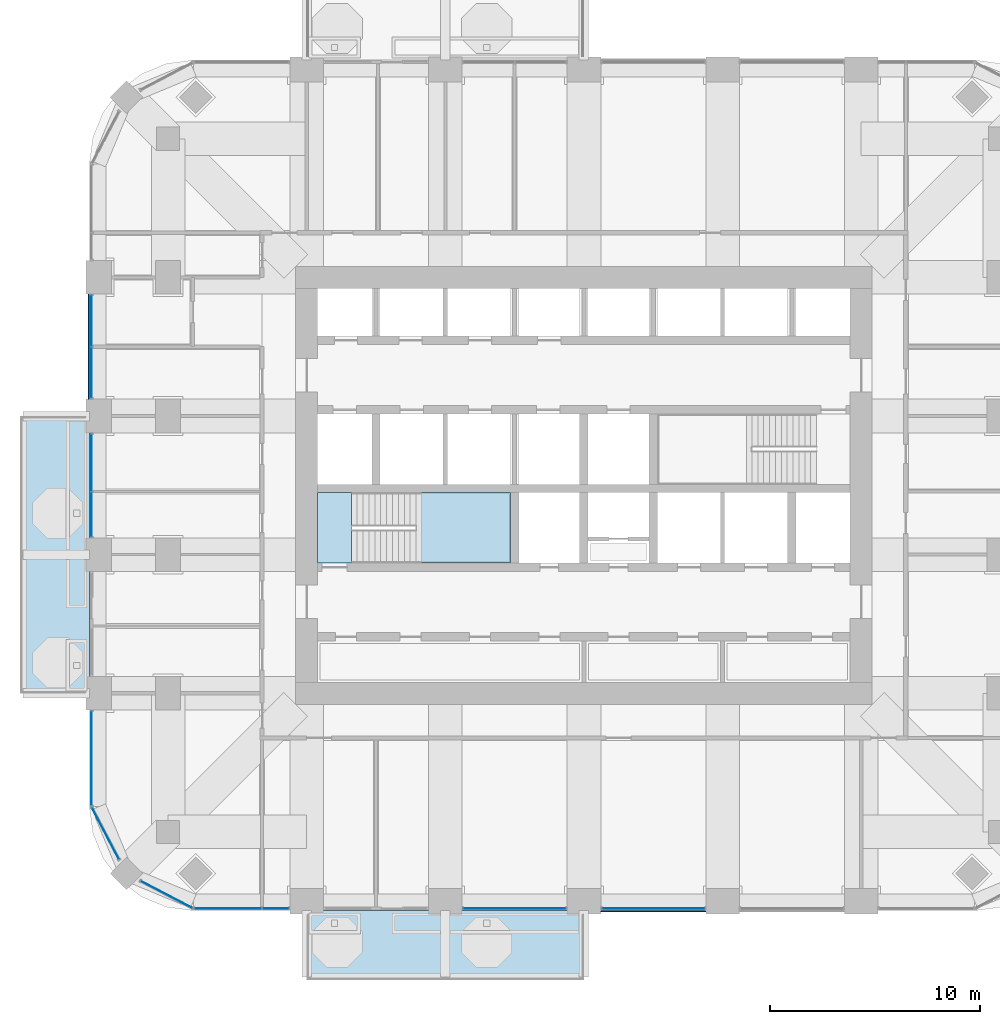
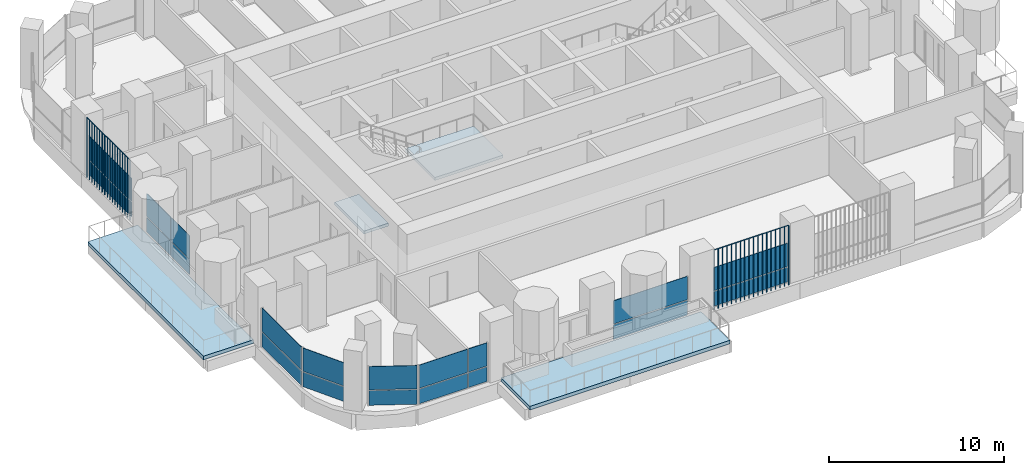
# One storey, part 8 of 20: 24 plates, 4 slabs, 9 elements without a shape of their own.
"""IFC4 building model written with IfcOpenShell, lengths in metres."""

from ifc_helpers import new_model, si_unit, direction, frame, origin, origin_2d, place, context, subcontext, project, spatial, polyline, rectangle, outline, extrude, material, layer, layer_set, type_object, element, aggregate, save


model = new_model("IFC4")

# Units and contexts
model_context = context("Model", 3, precision=1e-05, world=origin(), true_north=direction((0.0, 1.0)))
body_context = subcontext(model_context, "Body", "Model", "MODEL_VIEW")
ifc_project = project(units=[si_unit("LENGTHUNIT", "METRE"), si_unit("AREAUNIT", "SQUARE_METRE"), si_unit("VOLUMEUNIT", "CUBIC_METRE"), si_unit("PLANEANGLEUNIT", "RADIAN"), si_unit("MASSUNIT", "GRAM", prefix="KILO")], contexts=[model_context])

# Site, building, storey
site_placement = place(None, origin())
site = spatial("IfcSite", under=ifc_project, at=site_placement, CompositionType="ELEMENT")
building_placement = place(site_placement, origin())
building = spatial("IfcBuilding", under=site, at=building_placement, Name="Cobogo Forest Laboratory Tower", CompositionType="ELEMENT")
storey_placement = place(building_placement, frame((0.0, 0.0, 201.89990234375)))
storey = spatial("IfcBuildingStorey", under=building, at=storey_placement, Name="L46", CompositionType="ELEMENT", Elevation=201.89990234375)

# Slabs
ifc_material_1 = material(Name="Concrete HA-40 (C40/50)", Category="concrete")
ifc_layer_1 = layer(ifc_material_1, 0.25)
ifc_layer_set_1 = layer_set([ifc_layer_1], Name="Balcony slab 250")
slab_type_1 = type_object("IfcSlabType", Name="Balcony slab 250", PredefinedType="FLOOR", material=ifc_layer_set_1)
slab_1_placement = place(storey_placement, frame((0.0, 0.0, -0.25)))
element("IfcSlab", 1, at=slab_1_placement, inside=storey, type_object=slab_type_1, Name="Balcony BAL-S1 L46", PredefinedType="FLOOR", context=body_context, shape_type="SweptSolid", body=[
    extrude(outline(polyline([(13.199951171875, -0.449951171875), (26.39990234375, -0.449951171875), (26.39990234375, 2.85009765625), (13.199951171875, 2.85009765625), (13.199951171875, -0.449951171875)])), origin(), (0.0, 0.0, 1.0), 0.25),
])
slab_2_placement = place(storey_placement, frame((0.0, 0.0, -0.25)))
element("IfcSlab", 2, at=slab_2_placement, inside=storey, type_object=slab_type_1, Name="Balcony BAL-W1 L46", PredefinedType="FLOOR", context=body_context, shape_type="SweptSolid", body=[
    extrude(outline(polyline([(-0.449951171875, 13.199951171875), (2.85009765625, 13.199951171875), (2.85009765625, 26.39990234375), (-0.449951171875, 26.39990234375), (-0.449951171875, 13.199951171875)])), origin(), (0.0, 0.0, 1.0), 0.25),
])

# Curtain wall, plates
ifc_material_2 = material(Name="Aluminium curtain wall", Category="aluminium")
curtain_wall_type = type_object("IfcCurtainWallType", Name="CW-2 unitised curtain wall, solar control glazing, laboratory floors zones C and D", PredefinedType="USERDEFINED", material=ifc_material_2)
curtain_wall_1_placement = place(storey_placement, origin())
curtain_wall_1 = element("IfcCurtainWall", 3, at=curtain_wall_1_placement, inside=storey, type_object=curtain_wall_type, Name="Curtain wall 01 L46", ObjectType="UNITISED CURTAIN WALL", PredefinedType="USERDEFINED")
ifc_material_3 = material(Name="Solar control insulated glass", Category="glass")
ifc_layer_2 = layer(ifc_material_3, 0.031982421875)
ifc_layer_set_2 = layer_set([ifc_layer_2], Name="GP-2 solar control glass unit 32")
plate_type_1 = type_object("IfcPlateType", Name="GP-2 solar control glass unit 32", PredefinedType="CURTAIN_PANEL", material=ifc_layer_set_2)
plate_1_placement = place(storey_placement, frame((9.452392578125, 2.949951171875, 0.0), z_axis=(0.0, 0.0, 1.0), x_axis=(1.0, 0.0, 0.0)))
plate_1 = element("IfcPlate", 4, at=plate_1_placement, type_object=plate_type_1, Name="CW-2 panel 1.1", PredefinedType="CURTAIN_PANEL", context=body_context, shape_type="SweptSolid", body=[
    extrude(rectangle(XDim=3.18505859375, YDim=0.031982421875, at=origin_2d()), origin(), (0.0, 0.0, 1.0), 1.02001953125),
])
plate_2_placement = place(storey_placement, frame((9.452392578125, 2.949951171875, 1.080078125), z_axis=(0.0, 0.0, 1.0), x_axis=(1.0, 0.0, 0.0)))
plate_2 = element("IfcPlate", 5, at=plate_2_placement, type_object=plate_type_1, Name="CW-2 panel 1.2", PredefinedType="CURTAIN_PANEL", context=body_context, shape_type="SweptSolid", body=[
    extrude(rectangle(XDim=3.18505859375, YDim=0.031982421875, at=origin_2d()), origin(), (0.0, 0.0, 1.0), 1.6201171875),
])
plate_3_placement = place(storey_placement, frame((11.722412109375, 2.949951171875, 0.0), z_axis=(0.0, 0.0, 1.0), x_axis=(1.0, 0.0, 0.0)))
plate_3 = element("IfcPlate", 6, at=plate_3_placement, type_object=plate_type_1, Name="CW-2 panel 2.1", PredefinedType="CURTAIN_PANEL", context=body_context, shape_type="SweptSolid", body=[
    extrude(rectangle(XDim=1.235107421875, YDim=0.031982421875, at=origin_2d()), origin(), (0.0, 0.0, 1.0), 1.02001953125),
])
plate_4_placement = place(storey_placement, frame((11.722412109375, 2.949951171875, 1.080078125), z_axis=(0.0, 0.0, 1.0), x_axis=(1.0, 0.0, 0.0)))
plate_4 = element("IfcPlate", 7, at=plate_4_placement, type_object=plate_type_1, Name="CW-2 panel 2.2", PredefinedType="CURTAIN_PANEL", context=body_context, shape_type="SweptSolid", body=[
    extrude(rectangle(XDim=1.235107421875, YDim=0.031982421875, at=origin_2d()), origin(), (0.0, 0.0, 1.0), 1.6201171875),
])
aggregate(curtain_wall_1, [plate_1, plate_2, plate_3, plate_4])

curtain_wall_2_placement = place(storey_placement, origin())
curtain_wall_2 = element("IfcCurtainWall", 8, at=curtain_wall_2_placement, inside=storey, type_object=curtain_wall_type, Name="Curtain wall 03 L46", ObjectType="UNITISED CURTAIN WALL", PredefinedType="USERDEFINED")
plate_5_placement = place(storey_placement, frame((23.10009765625, 2.949951171875, 0.0), z_axis=(0.0, 0.0, 1.0), x_axis=(1.0, 0.0, 0.0)))
plate_5 = element("IfcPlate", 9, at=plate_5_placement, type_object=plate_type_1, Name="CW-2 panel 1.1", PredefinedType="CURTAIN_PANEL", context=body_context, shape_type="SweptSolid", body=[
    extrude(rectangle(XDim=4.8798828125, YDim=0.031982421875, at=origin_2d()), origin(), (0.0, 0.0, 1.0), 1.02001953125),
])
plate_6_placement = place(storey_placement, frame((23.10009765625, 2.949951171875, 1.080078125), z_axis=(0.0, 0.0, 1.0), x_axis=(1.0, 0.0, 0.0)))
plate_6 = element("IfcPlate", 10, at=plate_6_placement, type_object=plate_type_1, Name="CW-2 panel 1.2", PredefinedType="CURTAIN_PANEL", context=body_context, shape_type="SweptSolid", body=[
    extrude(rectangle(XDim=4.8798828125, YDim=0.031982421875, at=origin_2d()), origin(), (0.0, 0.0, 1.0), 1.6201171875),
])
aggregate(curtain_wall_2, [plate_5, plate_6])

curtain_wall_3_placement = place(storey_placement, origin())
curtain_wall_3 = element("IfcCurtainWall", 11, at=curtain_wall_3_placement, inside=storey, type_object=curtain_wall_type, Name="Curtain wall 04 L46", ObjectType="UNITISED CURTAIN WALL", PredefinedType="USERDEFINED")
plate_7_placement = place(storey_placement, frame((29.699951171875, 2.949951171875, 0.0), z_axis=(0.0, 0.0, 1.0), x_axis=(1.0, 0.0, 0.0)))
plate_7 = element("IfcPlate", 12, at=plate_7_placement, type_object=plate_type_1, Name="CW-2 panel 1.1", PredefinedType="CURTAIN_PANEL", context=body_context, shape_type="SweptSolid", body=[
    extrude(rectangle(XDim=4.8798828125, YDim=0.031982421875, at=origin_2d()), origin(), (0.0, 0.0, 1.0), 1.02001953125),
])
plate_8_placement = place(storey_placement, frame((29.699951171875, 2.949951171875, 1.080078125), z_axis=(0.0, 0.0, 1.0), x_axis=(1.0, 0.0, 0.0)))
plate_8 = element("IfcPlate", 13, at=plate_8_placement, type_object=plate_type_1, Name="CW-2 panel 1.2", PredefinedType="CURTAIN_PANEL", context=body_context, shape_type="SweptSolid", body=[
    extrude(rectangle(XDim=4.8798828125, YDim=0.031982421875, at=origin_2d()), origin(), (0.0, 0.0, 1.0), 1.6201171875),
])
aggregate(curtain_wall_3, [plate_7, plate_8])

curtain_wall_4_placement = place(storey_placement, origin())
curtain_wall_4 = element("IfcCurtainWall", 14, at=curtain_wall_4_placement, inside=storey, type_object=curtain_wall_type, Name="Curtain wall 25 L46", ObjectType="UNITISED CURTAIN WALL", PredefinedType="USERDEFINED")
plate_9_placement = place(storey_placement, frame((2.949951171875, 30.93505859375, 0.0), z_axis=(0.0, 0.0, 1.0), x_axis=(0.0, -1.0, 0.0)))
plate_9 = element("IfcPlate", 15, at=plate_9_placement, type_object=plate_type_1, Name="CW-2 panel 1.1", PredefinedType="CURTAIN_PANEL", context=body_context, shape_type="SweptSolid", body=[
    extrude(rectangle(XDim=2.409912109375, YDim=0.031982421875, at=origin_2d()), origin(), (0.0, 0.0, 1.0), 1.02001953125),
])
plate_10_placement = place(storey_placement, frame((2.949951171875, 30.93505859375, 1.080078125), z_axis=(0.0, 0.0, 1.0), x_axis=(0.0, -1.0, 0.0)))
plate_10 = element("IfcPlate", 16, at=plate_10_placement, type_object=plate_type_1, Name="CW-2 panel 1.2", PredefinedType="CURTAIN_PANEL", context=body_context, shape_type="SweptSolid", body=[
    extrude(rectangle(XDim=2.409912109375, YDim=0.031982421875, at=origin_2d()), origin(), (0.0, 0.0, 1.0), 1.6201171875),
])
plate_11_placement = place(storey_placement, frame((2.949951171875, 28.465087890625, 0.0), z_axis=(0.0, 0.0, 1.0), x_axis=(0.0, -1.0, 0.0)))
plate_11 = element("IfcPlate", 17, at=plate_11_placement, type_object=plate_type_1, Name="CW-2 panel 2.1", PredefinedType="CURTAIN_PANEL", context=body_context, shape_type="SweptSolid", body=[
    extrude(rectangle(XDim=2.409912109375, YDim=0.031982421875, at=origin_2d()), origin(), (0.0, 0.0, 1.0), 1.02001953125),
])
plate_12_placement = place(storey_placement, frame((2.949951171875, 28.465087890625, 1.080078125), z_axis=(0.0, 0.0, 1.0), x_axis=(0.0, -1.0, 0.0)))
plate_12 = element("IfcPlate", 18, at=plate_12_placement, type_object=plate_type_1, Name="CW-2 panel 2.2", PredefinedType="CURTAIN_PANEL", context=body_context, shape_type="SweptSolid", body=[
    extrude(rectangle(XDim=2.409912109375, YDim=0.031982421875, at=origin_2d()), origin(), (0.0, 0.0, 1.0), 1.6201171875),
])
aggregate(curtain_wall_4, [plate_9, plate_10, plate_11, plate_12])

curtain_wall_5_placement = place(storey_placement, origin())
curtain_wall_5 = element("IfcCurtainWall", 19, at=curtain_wall_5_placement, inside=storey, type_object=curtain_wall_type, Name="Curtain wall 26 L46", ObjectType="UNITISED CURTAIN WALL", PredefinedType="USERDEFINED")
plate_13_placement = place(storey_placement, frame((2.949951171875, 24.18505859375, 0.0), z_axis=(0.0, 0.0, 1.0), x_axis=(0.0, -1.0, 0.0)))
plate_13 = element("IfcPlate", 20, at=plate_13_placement, type_object=plate_type_1, Name="CW-2 panel 1.1", PredefinedType="CURTAIN_PANEL", context=body_context, shape_type="SweptSolid", body=[
    extrude(rectangle(XDim=2.7099609375, YDim=0.031982421875, at=origin_2d()), origin(), (0.0, 0.0, 1.0), 1.02001953125),
])
plate_14_placement = place(storey_placement, frame((2.949951171875, 24.18505859375, 1.080078125), z_axis=(0.0, 0.0, 1.0), x_axis=(0.0, -1.0, 0.0)))
plate_14 = element("IfcPlate", 21, at=plate_14_placement, type_object=plate_type_1, Name="CW-2 panel 1.2", PredefinedType="CURTAIN_PANEL", context=body_context, shape_type="SweptSolid", body=[
    extrude(rectangle(XDim=2.7099609375, YDim=0.031982421875, at=origin_2d()), origin(), (0.0, 0.0, 1.0), 1.6201171875),
])
plate_15_placement = place(storey_placement, frame((2.949951171875, 21.715087890625, 0.0), z_axis=(0.0, 0.0, 1.0), x_axis=(0.0, -1.0, 0.0)))
plate_15 = element("IfcPlate", 22, at=plate_15_placement, type_object=plate_type_1, Name="CW-2 panel 2.1", PredefinedType="CURTAIN_PANEL", context=body_context, shape_type="SweptSolid", body=[
    extrude(rectangle(XDim=2.110107421875, YDim=0.031982421875, at=origin_2d()), origin(), (0.0, 0.0, 1.0), 1.02001953125),
])
plate_16_placement = place(storey_placement, frame((2.949951171875, 21.715087890625, 1.080078125), z_axis=(0.0, 0.0, 1.0), x_axis=(0.0, -1.0, 0.0)))
plate_16 = element("IfcPlate", 23, at=plate_16_placement, type_object=plate_type_1, Name="CW-2 panel 2.2", PredefinedType="CURTAIN_PANEL", context=body_context, shape_type="SweptSolid", body=[
    extrude(rectangle(XDim=2.110107421875, YDim=0.031982421875, at=origin_2d()), origin(), (0.0, 0.0, 1.0), 1.6201171875),
])
aggregate(curtain_wall_5, [plate_13, plate_14, plate_15, plate_16])

curtain_wall_6_placement = place(storey_placement, origin())
curtain_wall_6 = element("IfcCurtainWall", 24, at=curtain_wall_6_placement, inside=storey, type_object=curtain_wall_type, Name="Curtain wall 28 L46", ObjectType="UNITISED CURTAIN WALL", PredefinedType="USERDEFINED")
plate_17_placement = place(storey_placement, frame((2.949951171875, 10.10009765625, 0.0), z_axis=(0.0, 0.0, 1.0), x_axis=(0.0, -1.0, 0.0)))
plate_17 = element("IfcPlate", 25, at=plate_17_placement, type_object=plate_type_1, Name="CW-2 panel 1.1", PredefinedType="CURTAIN_PANEL", context=body_context, shape_type="SweptSolid", body=[
    extrude(rectangle(XDim=4.47998046875, YDim=0.031982421875, at=origin_2d()), origin(), (0.0, 0.0, 1.0), 1.02001953125),
])
plate_18_placement = place(storey_placement, frame((2.949951171875, 10.10009765625, 1.080078125), z_axis=(0.0, 0.0, 1.0), x_axis=(0.0, -1.0, 0.0)))
plate_18 = element("IfcPlate", 26, at=plate_18_placement, type_object=plate_type_1, Name="CW-2 panel 1.2", PredefinedType="CURTAIN_PANEL", context=body_context, shape_type="SweptSolid", body=[
    extrude(rectangle(XDim=4.47998046875, YDim=0.031982421875, at=origin_2d()), origin(), (0.0, 0.0, 1.0), 1.6201171875),
])
aggregate(curtain_wall_6, [plate_17, plate_18])

curtain_wall_7_placement = place(storey_placement, origin())
curtain_wall_7 = element("IfcCurtainWall", 27, at=curtain_wall_7_placement, inside=storey, type_object=curtain_wall_type, Name="Curtain wall 29 L46", ObjectType="UNITISED CURTAIN WALL", PredefinedType="USERDEFINED")
plate_19_placement = place(storey_placement, frame((3.61865234375, 6.5244140625, 0.0), z_axis=(0.0, 0.0, 1.0), x_axis=(0.464283804832, -0.885686484356, 0.0)))
plate_19 = element("IfcPlate", 28, at=plate_19_placement, type_object=plate_type_1, Name="CW-2 panel 1.1", PredefinedType="CURTAIN_PANEL", context=body_context, shape_type="SweptSolid", body=[
    extrude(rectangle(XDim=2.76025390625, YDim=0.031982421875, at=origin_2d()), origin(), (0.0, 0.0, 1.0), 1.02001953125),
])
plate_20_placement = place(storey_placement, frame((3.61865234375, 6.5244140625, 1.080078125), z_axis=(0.0, 0.0, 1.0), x_axis=(0.464283804832, -0.885686484356, 0.0)))
plate_20 = element("IfcPlate", 29, at=plate_20_placement, type_object=plate_type_1, Name="CW-2 panel 1.2", PredefinedType="CURTAIN_PANEL", context=body_context, shape_type="SweptSolid", body=[
    extrude(rectangle(XDim=2.76025390625, YDim=0.031982421875, at=origin_2d()), origin(), (0.0, 0.0, 1.0), 1.6201171875),
])
aggregate(curtain_wall_7, [plate_19, plate_20])

curtain_wall_8_placement = place(storey_placement, origin())
curtain_wall_8 = element("IfcCurtainWall", 30, at=curtain_wall_8_placement, inside=storey, type_object=curtain_wall_type, Name="Curtain wall 30 L46", ObjectType="UNITISED CURTAIN WALL", PredefinedType="USERDEFINED")
plate_21_placement = place(storey_placement, frame((6.5244140625, 3.61865234375, 0.0), z_axis=(0.0, 0.0, 1.0), x_axis=(0.885686484356, -0.464283804832, 0.0)))
plate_21 = element("IfcPlate", 31, at=plate_21_placement, type_object=plate_type_1, Name="CW-2 panel 1.1", PredefinedType="CURTAIN_PANEL", context=body_context, shape_type="SweptSolid", body=[
    extrude(rectangle(XDim=2.76025390625, YDim=0.031982421875, at=origin_2d()), origin(), (0.0, 0.0, 1.0), 1.02001953125),
])
plate_22_placement = place(storey_placement, frame((6.5244140625, 3.61865234375, 1.080078125), z_axis=(0.0, 0.0, 1.0), x_axis=(0.885686484356, -0.464283804832, 0.0)))
plate_22 = element("IfcPlate", 32, at=plate_22_placement, type_object=plate_type_1, Name="CW-2 panel 1.2", PredefinedType="CURTAIN_PANEL", context=body_context, shape_type="SweptSolid", body=[
    extrude(rectangle(XDim=2.76025390625, YDim=0.031982421875, at=origin_2d()), origin(), (0.0, 0.0, 1.0), 1.6201171875),
])
aggregate(curtain_wall_8, [plate_21, plate_22])

# Stair, slabs
ifc_material_4 = material(Name="Precast concrete HA-40 (C40/50)", Category="concrete")
stair_type = type_object("IfcStairType", Name="ST24 exit stair 24 risers", PredefinedType="HALF_TURN_STAIR", material=ifc_material_4)
stair_placement = place(storey_placement, origin())
stair = element("IfcStair", 33, at=stair_placement, inside=storey, type_object=stair_type, Name="Stair 1 L46 to L47", PredefinedType="HALF_TURN_STAIR")
ifc_layer_3 = layer(ifc_material_1, 0.199951171875)
ifc_layer_set_3 = layer_set([ifc_layer_3], Name="SL stair landing 200")
slab_type_2 = type_object("IfcSlabType", Name="SL stair landing 200", PredefinedType="LANDING", material=ifc_layer_set_3)
slab_3_placement = place(storey_placement, frame((0.0, 0.0, -0.199951171875)))
slab_3 = element("IfcSlab", 34, at=slab_3_placement, type_object=slab_type_2, Name="ST1 landing 1", PredefinedType="LANDING", context=body_context, shape_type="SweptSolid", body=[
    extrude(outline(polyline([(13.72509765625, 19.39990234375), (15.326904296875, 19.39990234375), (15.326904296875, 22.75), (13.72509765625, 22.75), (13.72509765625, 19.39990234375)])), origin(), (0.0, 0.0, 1.0), 0.199951171875),
])
slab_4_placement = place(storey_placement, frame((0.0, 0.0, 1.900146484375)))
slab_4 = element("IfcSlab", 35, at=slab_4_placement, type_object=slab_type_2, Name="ST1 landing 2", PredefinedType="LANDING", context=body_context, shape_type="SweptSolid", body=[
    extrude(outline(polyline([(18.403076171875, 19.39990234375), (22.89990234375, 19.39990234375), (22.89990234375, 22.75), (18.403076171875, 22.75), (18.403076171875, 19.39990234375)])), origin(), (0.0, 0.0, 1.0), 0.199951171875),
])
aggregate(stair, [slab_3, slab_4])

# Plates
ifc_material_5 = material(Name="Terracotta", Category="masonry")
plate_type_2 = type_object("IfcPlateType", Name="TB1 terracotta baguette screen", PredefinedType="USERDEFINED", material=ifc_material_5)
plate_23_placement = place(storey_placement, frame((27.231201171875, 2.822021484375, -0.14990234375)))
element("IfcPlate", 36, at=plate_23_placement, inside=storey, type_object=plate_type_2, Name="Baguette screen S3 L46", ObjectType="BAGUETTE SCREEN", PredefinedType="USERDEFINED", context=body_context, shape_type="SweptSolid", body=[
    extrude(outline(polyline([(0.02880859375, 0.011962890625), (0.011962890625, 0.02880859375), (-0.011962890625, 0.02880859375), (-0.02880859375, 0.011962890625), (-0.02880859375, -0.011962890625), (-0.011962890625, -0.02880859375), (0.011962890625, -0.02880859375), (0.02880859375, -0.011962890625), (0.02880859375, 0.011962890625)])), frame((0.0, 0.0, 4.168701171875), z_axis=(1.0, 0.0, 0.0), x_axis=(0.0, 1.0, 0.0)), (0.0, 0.0, 1.0), 4.9375),
    extrude(outline(polyline([(0.02880859375, 0.011962890625), (0.011962890625, 0.02880859375), (-0.011962890625, 0.02880859375), (-0.02880859375, 0.011962890625), (-0.02880859375, -0.011962890625), (-0.011962890625, -0.02880859375), (0.011962890625, -0.02880859375), (0.02880859375, -0.011962890625), (0.02880859375, 0.011962890625)])), origin(), (0.0, 0.0, 1.0), 4.137451171875),
    extrude(outline(polyline([(0.02880859375, 0.011962890625), (0.011962890625, 0.02880859375), (-0.011962890625, 0.02880859375), (-0.02880859375, 0.011962890625), (-0.02880859375, -0.011962890625), (-0.011962890625, -0.02880859375), (0.011962890625, -0.02880859375), (0.02880859375, -0.011962890625), (0.02880859375, 0.011962890625)])), frame((0.29052734375, 0.0, 0.0)), (0.0, 0.0, 1.0), 4.137451171875),
    extrude(outline(polyline([(0.02880859375, 0.011962890625), (0.011962890625, 0.02880859375), (-0.011962890625, 0.02880859375), (-0.02880859375, 0.011962890625), (-0.02880859375, -0.011962890625), (-0.011962890625, -0.02880859375), (0.011962890625, -0.02880859375), (0.02880859375, -0.011962890625), (0.02880859375, 0.011962890625)])), frame((0.580810546875, 0.0, 0.0)), (0.0, 0.0, 1.0), 4.137451171875),
    extrude(outline(polyline([(0.02880859375, 0.011962890625), (0.011962890625, 0.02880859375), (-0.011962890625, 0.02880859375), (-0.02880859375, 0.011962890625), (-0.02880859375, -0.011962890625), (-0.011962890625, -0.02880859375), (0.011962890625, -0.02880859375), (0.02880859375, -0.011962890625), (0.02880859375, 0.011962890625)])), frame((0.871337890625, 0.0, 0.0)), (0.0, 0.0, 1.0), 4.137451171875),
    extrude(outline(polyline([(0.02880859375, 0.011962890625), (0.011962890625, 0.02880859375), (-0.011962890625, 0.02880859375), (-0.02880859375, 0.011962890625), (-0.02880859375, -0.011962890625), (-0.011962890625, -0.02880859375), (0.011962890625, -0.02880859375), (0.02880859375, -0.011962890625), (0.02880859375, 0.011962890625)])), frame((1.161865234375, 0.0, 0.0)), (0.0, 0.0, 1.0), 4.137451171875),
    extrude(outline(polyline([(0.02880859375, 0.011962890625), (0.011962890625, 0.02880859375), (-0.011962890625, 0.02880859375), (-0.02880859375, 0.011962890625), (-0.02880859375, -0.011962890625), (-0.011962890625, -0.02880859375), (0.011962890625, -0.02880859375), (0.02880859375, -0.011962890625), (0.02880859375, 0.011962890625)])), frame((1.4521484375, 0.0, 0.0)), (0.0, 0.0, 1.0), 4.137451171875),
    extrude(outline(polyline([(0.02880859375, 0.011962890625), (0.011962890625, 0.02880859375), (-0.011962890625, 0.02880859375), (-0.02880859375, 0.011962890625), (-0.02880859375, -0.011962890625), (-0.011962890625, -0.02880859375), (0.011962890625, -0.02880859375), (0.02880859375, -0.011962890625), (0.02880859375, 0.011962890625)])), frame((1.74267578125, 0.0, 0.0)), (0.0, 0.0, 1.0), 4.137451171875),
    extrude(outline(polyline([(0.02880859375, 0.011962890625), (0.011962890625, 0.02880859375), (-0.011962890625, 0.02880859375), (-0.02880859375, 0.011962890625), (-0.02880859375, -0.011962890625), (-0.011962890625, -0.02880859375), (0.011962890625, -0.02880859375), (0.02880859375, -0.011962890625), (0.02880859375, 0.011962890625)])), frame((2.033203125, 0.0, 0.0)), (0.0, 0.0, 1.0), 4.137451171875),
    extrude(outline(polyline([(0.02880859375, 0.011962890625), (0.011962890625, 0.02880859375), (-0.011962890625, 0.02880859375), (-0.02880859375, 0.011962890625), (-0.02880859375, -0.011962890625), (-0.011962890625, -0.02880859375), (0.011962890625, -0.02880859375), (0.02880859375, -0.011962890625), (0.02880859375, 0.011962890625)])), frame((2.323486328125, 0.0, 0.0)), (0.0, 0.0, 1.0), 4.137451171875),
    extrude(outline(polyline([(0.02880859375, 0.011962890625), (0.011962890625, 0.02880859375), (-0.011962890625, 0.02880859375), (-0.02880859375, 0.011962890625), (-0.02880859375, -0.011962890625), (-0.011962890625, -0.02880859375), (0.011962890625, -0.02880859375), (0.02880859375, -0.011962890625), (0.02880859375, 0.011962890625)])), frame((2.614013671875, 0.0, 0.0)), (0.0, 0.0, 1.0), 4.137451171875),
    extrude(outline(polyline([(0.02880859375, 0.011962890625), (0.011962890625, 0.02880859375), (-0.011962890625, 0.02880859375), (-0.02880859375, 0.011962890625), (-0.02880859375, -0.011962890625), (-0.011962890625, -0.02880859375), (0.011962890625, -0.02880859375), (0.02880859375, -0.011962890625), (0.02880859375, 0.011962890625)])), frame((2.904296875, 0.0, 0.0)), (0.0, 0.0, 1.0), 4.137451171875),
    extrude(outline(polyline([(0.02880859375, 0.011962890625), (0.011962890625, 0.02880859375), (-0.011962890625, 0.02880859375), (-0.02880859375, 0.011962890625), (-0.02880859375, -0.011962890625), (-0.011962890625, -0.02880859375), (0.011962890625, -0.02880859375), (0.02880859375, -0.011962890625), (0.02880859375, 0.011962890625)])), frame((3.19482421875, 0.0, 0.0)), (0.0, 0.0, 1.0), 4.137451171875),
    extrude(outline(polyline([(0.02880859375, 0.011962890625), (0.011962890625, 0.02880859375), (-0.011962890625, 0.02880859375), (-0.02880859375, 0.011962890625), (-0.02880859375, -0.011962890625), (-0.011962890625, -0.02880859375), (0.011962890625, -0.02880859375), (0.02880859375, -0.011962890625), (0.02880859375, 0.011962890625)])), frame((3.4853515625, 0.0, 0.0)), (0.0, 0.0, 1.0), 4.137451171875),
    extrude(outline(polyline([(0.02880859375, 0.011962890625), (0.011962890625, 0.02880859375), (-0.011962890625, 0.02880859375), (-0.02880859375, 0.011962890625), (-0.02880859375, -0.011962890625), (-0.011962890625, -0.02880859375), (0.011962890625, -0.02880859375), (0.02880859375, -0.011962890625), (0.02880859375, 0.011962890625)])), frame((3.775634765625, 0.0, 0.0)), (0.0, 0.0, 1.0), 4.137451171875),
    extrude(outline(polyline([(0.02880859375, 0.011962890625), (0.011962890625, 0.02880859375), (-0.011962890625, 0.02880859375), (-0.02880859375, 0.011962890625), (-0.02880859375, -0.011962890625), (-0.011962890625, -0.02880859375), (0.011962890625, -0.02880859375), (0.02880859375, -0.011962890625), (0.02880859375, 0.011962890625)])), frame((4.066162109375, 0.0, 0.0)), (0.0, 0.0, 1.0), 4.137451171875),
    extrude(outline(polyline([(0.02880859375, 0.011962890625), (0.011962890625, 0.02880859375), (-0.011962890625, 0.02880859375), (-0.02880859375, 0.011962890625), (-0.02880859375, -0.011962890625), (-0.011962890625, -0.02880859375), (0.011962890625, -0.02880859375), (0.02880859375, -0.011962890625), (0.02880859375, 0.011962890625)])), frame((4.356689453125, 0.0, 0.0)), (0.0, 0.0, 1.0), 4.137451171875),
    extrude(outline(polyline([(0.02880859375, 0.011962890625), (0.011962890625, 0.02880859375), (-0.011962890625, 0.02880859375), (-0.02880859375, 0.011962890625), (-0.02880859375, -0.011962890625), (-0.011962890625, -0.02880859375), (0.011962890625, -0.02880859375), (0.02880859375, -0.011962890625), (0.02880859375, 0.011962890625)])), frame((4.64697265625, 0.0, 0.0)), (0.0, 0.0, 1.0), 4.137451171875),
    extrude(outline(polyline([(0.02880859375, 0.011962890625), (0.011962890625, 0.02880859375), (-0.011962890625, 0.02880859375), (-0.02880859375, 0.011962890625), (-0.02880859375, -0.011962890625), (-0.011962890625, -0.02880859375), (0.011962890625, -0.02880859375), (0.02880859375, -0.011962890625), (0.02880859375, 0.011962890625)])), frame((4.9375, 0.0, 0.0)), (0.0, 0.0, 1.0), 4.137451171875),
])
plate_24_placement = place(storey_placement, frame((2.822021484375, 27.231201171875, -0.14990234375)))
element("IfcPlate", 37, at=plate_24_placement, inside=storey, type_object=plate_type_2, Name="Baguette screen W3 L46", ObjectType="BAGUETTE SCREEN", PredefinedType="USERDEFINED", context=body_context, shape_type="SweptSolid", body=[
    extrude(outline(polyline([(0.02880859375, 0.011962890625), (0.011962890625, 0.02880859375), (-0.011962890625, 0.02880859375), (-0.02880859375, 0.011962890625), (-0.02880859375, -0.011962890625), (-0.011962890625, -0.02880859375), (0.011962890625, -0.02880859375), (0.02880859375, -0.011962890625), (0.02880859375, 0.011962890625)])), frame((0.0, 0.0, 4.168701171875), z_axis=(0.0, 1.0, 0.0), x_axis=(-1.0, 0.0, 0.0)), (0.0, 0.0, 1.0), 4.9375),
    extrude(outline(polyline([(0.02880859375, 0.011962890625), (0.011962890625, 0.02880859375), (-0.011962890625, 0.02880859375), (-0.02880859375, 0.011962890625), (-0.02880859375, -0.011962890625), (-0.011962890625, -0.02880859375), (0.011962890625, -0.02880859375), (0.02880859375, -0.011962890625), (0.02880859375, 0.011962890625)])), origin(), (0.0, 0.0, 1.0), 4.137451171875),
    extrude(outline(polyline([(0.02880859375, 0.011962890625), (0.011962890625, 0.02880859375), (-0.011962890625, 0.02880859375), (-0.02880859375, 0.011962890625), (-0.02880859375, -0.011962890625), (-0.011962890625, -0.02880859375), (0.011962890625, -0.02880859375), (0.02880859375, -0.011962890625), (0.02880859375, 0.011962890625)])), frame((0.0, 0.29052734375, 0.0)), (0.0, 0.0, 1.0), 4.137451171875),
    extrude(outline(polyline([(0.02880859375, 0.011962890625), (0.011962890625, 0.02880859375), (-0.011962890625, 0.02880859375), (-0.02880859375, 0.011962890625), (-0.02880859375, -0.011962890625), (-0.011962890625, -0.02880859375), (0.011962890625, -0.02880859375), (0.02880859375, -0.011962890625), (0.02880859375, 0.011962890625)])), frame((0.0, 0.580810546875, 0.0)), (0.0, 0.0, 1.0), 4.137451171875),
    extrude(outline(polyline([(0.02880859375, 0.011962890625), (0.011962890625, 0.02880859375), (-0.011962890625, 0.02880859375), (-0.02880859375, 0.011962890625), (-0.02880859375, -0.011962890625), (-0.011962890625, -0.02880859375), (0.011962890625, -0.02880859375), (0.02880859375, -0.011962890625), (0.02880859375, 0.011962890625)])), frame((0.0, 0.871337890625, 0.0)), (0.0, 0.0, 1.0), 4.137451171875),
    extrude(outline(polyline([(0.02880859375, 0.011962890625), (0.011962890625, 0.02880859375), (-0.011962890625, 0.02880859375), (-0.02880859375, 0.011962890625), (-0.02880859375, -0.011962890625), (-0.011962890625, -0.02880859375), (0.011962890625, -0.02880859375), (0.02880859375, -0.011962890625), (0.02880859375, 0.011962890625)])), frame((0.0, 1.161865234375, 0.0)), (0.0, 0.0, 1.0), 4.137451171875),
    extrude(outline(polyline([(0.02880859375, 0.011962890625), (0.011962890625, 0.02880859375), (-0.011962890625, 0.02880859375), (-0.02880859375, 0.011962890625), (-0.02880859375, -0.011962890625), (-0.011962890625, -0.02880859375), (0.011962890625, -0.02880859375), (0.02880859375, -0.011962890625), (0.02880859375, 0.011962890625)])), frame((0.0, 1.4521484375, 0.0)), (0.0, 0.0, 1.0), 4.137451171875),
    extrude(outline(polyline([(0.02880859375, 0.011962890625), (0.011962890625, 0.02880859375), (-0.011962890625, 0.02880859375), (-0.02880859375, 0.011962890625), (-0.02880859375, -0.011962890625), (-0.011962890625, -0.02880859375), (0.011962890625, -0.02880859375), (0.02880859375, -0.011962890625), (0.02880859375, 0.011962890625)])), frame((0.0, 1.74267578125, 0.0)), (0.0, 0.0, 1.0), 4.137451171875),
    extrude(outline(polyline([(0.02880859375, 0.011962890625), (0.011962890625, 0.02880859375), (-0.011962890625, 0.02880859375), (-0.02880859375, 0.011962890625), (-0.02880859375, -0.011962890625), (-0.011962890625, -0.02880859375), (0.011962890625, -0.02880859375), (0.02880859375, -0.011962890625), (0.02880859375, 0.011962890625)])), frame((0.0, 2.033203125, 0.0)), (0.0, 0.0, 1.0), 4.137451171875),
    extrude(outline(polyline([(0.02880859375, 0.011962890625), (0.011962890625, 0.02880859375), (-0.011962890625, 0.02880859375), (-0.02880859375, 0.011962890625), (-0.02880859375, -0.011962890625), (-0.011962890625, -0.02880859375), (0.011962890625, -0.02880859375), (0.02880859375, -0.011962890625), (0.02880859375, 0.011962890625)])), frame((0.0, 2.323486328125, 0.0)), (0.0, 0.0, 1.0), 4.137451171875),
    extrude(outline(polyline([(0.02880859375, 0.011962890625), (0.011962890625, 0.02880859375), (-0.011962890625, 0.02880859375), (-0.02880859375, 0.011962890625), (-0.02880859375, -0.011962890625), (-0.011962890625, -0.02880859375), (0.011962890625, -0.02880859375), (0.02880859375, -0.011962890625), (0.02880859375, 0.011962890625)])), frame((0.0, 2.614013671875, 0.0)), (0.0, 0.0, 1.0), 4.137451171875),
    extrude(outline(polyline([(0.02880859375, 0.011962890625), (0.011962890625, 0.02880859375), (-0.011962890625, 0.02880859375), (-0.02880859375, 0.011962890625), (-0.02880859375, -0.011962890625), (-0.011962890625, -0.02880859375), (0.011962890625, -0.02880859375), (0.02880859375, -0.011962890625), (0.02880859375, 0.011962890625)])), frame((0.0, 2.904296875, 0.0)), (0.0, 0.0, 1.0), 4.137451171875),
    extrude(outline(polyline([(0.02880859375, 0.011962890625), (0.011962890625, 0.02880859375), (-0.011962890625, 0.02880859375), (-0.02880859375, 0.011962890625), (-0.02880859375, -0.011962890625), (-0.011962890625, -0.02880859375), (0.011962890625, -0.02880859375), (0.02880859375, -0.011962890625), (0.02880859375, 0.011962890625)])), frame((0.0, 3.19482421875, 0.0)), (0.0, 0.0, 1.0), 4.137451171875),
    extrude(outline(polyline([(0.02880859375, 0.011962890625), (0.011962890625, 0.02880859375), (-0.011962890625, 0.02880859375), (-0.02880859375, 0.011962890625), (-0.02880859375, -0.011962890625), (-0.011962890625, -0.02880859375), (0.011962890625, -0.02880859375), (0.02880859375, -0.011962890625), (0.02880859375, 0.011962890625)])), frame((0.0, 3.4853515625, 0.0)), (0.0, 0.0, 1.0), 4.137451171875),
    extrude(outline(polyline([(0.02880859375, 0.011962890625), (0.011962890625, 0.02880859375), (-0.011962890625, 0.02880859375), (-0.02880859375, 0.011962890625), (-0.02880859375, -0.011962890625), (-0.011962890625, -0.02880859375), (0.011962890625, -0.02880859375), (0.02880859375, -0.011962890625), (0.02880859375, 0.011962890625)])), frame((0.0, 3.775634765625, 0.0)), (0.0, 0.0, 1.0), 4.137451171875),
    extrude(outline(polyline([(0.02880859375, 0.011962890625), (0.011962890625, 0.02880859375), (-0.011962890625, 0.02880859375), (-0.02880859375, 0.011962890625), (-0.02880859375, -0.011962890625), (-0.011962890625, -0.02880859375), (0.011962890625, -0.02880859375), (0.02880859375, -0.011962890625), (0.02880859375, 0.011962890625)])), frame((0.0, 4.066162109375, 0.0)), (0.0, 0.0, 1.0), 4.137451171875),
    extrude(outline(polyline([(0.02880859375, 0.011962890625), (0.011962890625, 0.02880859375), (-0.011962890625, 0.02880859375), (-0.02880859375, 0.011962890625), (-0.02880859375, -0.011962890625), (-0.011962890625, -0.02880859375), (0.011962890625, -0.02880859375), (0.02880859375, -0.011962890625), (0.02880859375, 0.011962890625)])), frame((0.0, 4.356689453125, 0.0)), (0.0, 0.0, 1.0), 4.137451171875),
    extrude(outline(polyline([(0.02880859375, 0.011962890625), (0.011962890625, 0.02880859375), (-0.011962890625, 0.02880859375), (-0.02880859375, 0.011962890625), (-0.02880859375, -0.011962890625), (-0.011962890625, -0.02880859375), (0.011962890625, -0.02880859375), (0.02880859375, -0.011962890625), (0.02880859375, 0.011962890625)])), frame((0.0, 4.64697265625, 0.0)), (0.0, 0.0, 1.0), 4.137451171875),
    extrude(outline(polyline([(0.02880859375, 0.011962890625), (0.011962890625, 0.02880859375), (-0.011962890625, 0.02880859375), (-0.02880859375, 0.011962890625), (-0.02880859375, -0.011962890625), (-0.011962890625, -0.02880859375), (0.011962890625, -0.02880859375), (0.02880859375, -0.011962890625), (0.02880859375, 0.011962890625)])), frame((0.0, 4.9375, 0.0)), (0.0, 0.0, 1.0), 4.137451171875),
])

save(model, "model.ifc")
